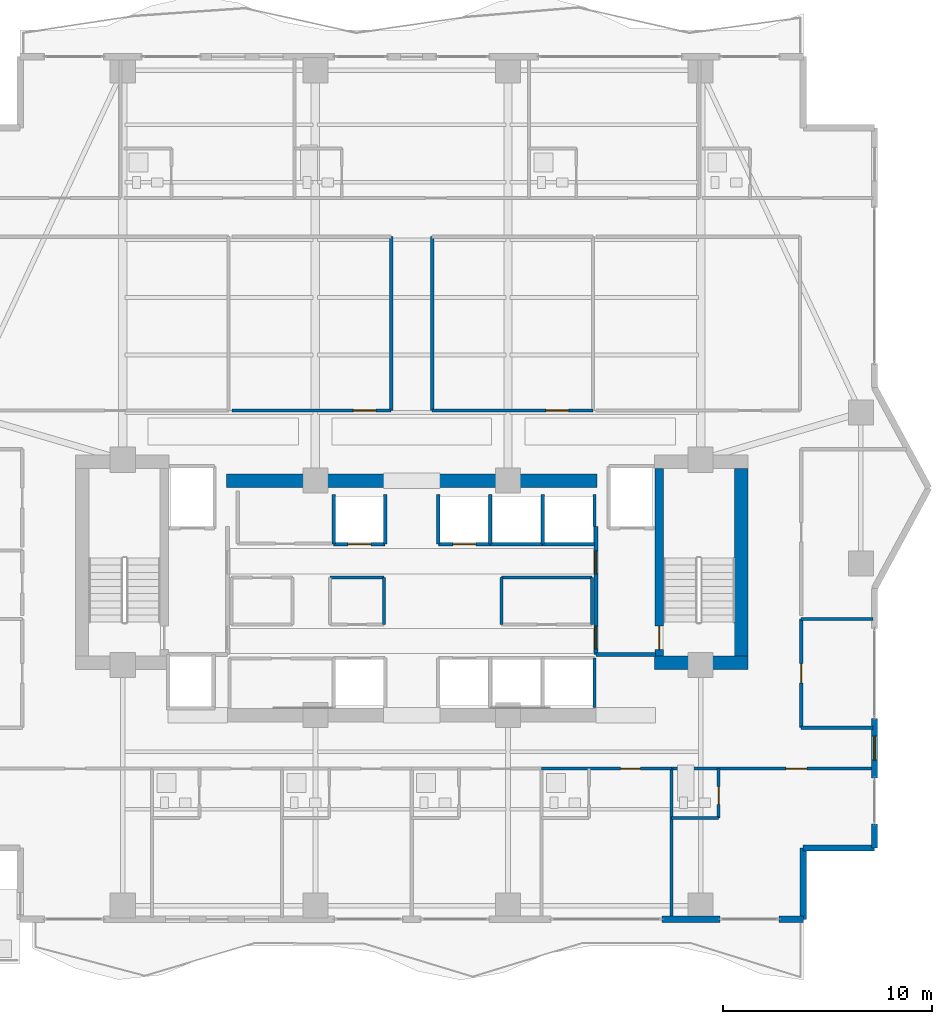
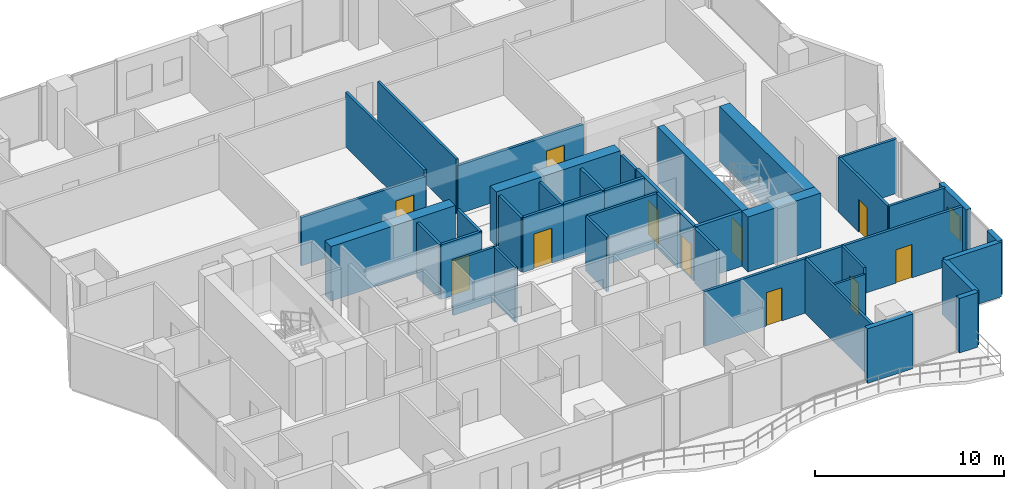
# One storey, part 26 of 32: 41 walls, 11 doors, 1 window, 12 openings.
"""IFC4 building model written with IfcOpenShell, lengths in metres."""

from ifc_helpers import new_model, si_unit, direction, frame, frame_2d, origin, place, context, subcontext, project, spatial, rectangle, extrude, material, layer, layer_set, type_object, element, fill, save


model = new_model("IFC4")

# Units and contexts
model_context = context("Model", 3, precision=1e-05, world=origin(), true_north=direction((0.0, 1.0)))
body_context = subcontext(model_context, "Body", "Model", "MODEL_VIEW")
ifc_project = project(units=[si_unit("LENGTHUNIT", "METRE"), si_unit("AREAUNIT", "SQUARE_METRE"), si_unit("VOLUMEUNIT", "CUBIC_METRE"), si_unit("PLANEANGLEUNIT", "RADIAN"), si_unit("MASSUNIT", "GRAM", prefix="KILO")], contexts=[model_context])

# Site, building, storey
site_placement = place(None, origin())
site = spatial("IfcSite", under=ifc_project, at=site_placement, CompositionType="ELEMENT")
building_placement = place(site_placement, origin())
building = spatial("IfcBuilding", under=site, at=building_placement, Name="Zuhayl Quay Hotel", CompositionType="ELEMENT")
storey_placement = place(building_placement, frame((0.0, 0.0, 196.14990234375)))
storey = spatial("IfcBuildingStorey", under=building, at=storey_placement, Name="L49", CompositionType="ELEMENT", Elevation=196.14990234375)

# Walls
ifc_material_1 = material(Name="Concrete C50/60", Category="concrete")
ifc_layer_1 = layer(ifc_material_1, 0.64990234375, Name="Concrete C50/60", Category="concrete")
ifc_layer_set_1 = layer_set([ifc_layer_1], Name="Concrete C50/60")
wall_type_1 = type_object("IfcWallType", Name="WL_CORE_650", PredefinedType="SHEAR", material=ifc_layer_set_1)
wall_1_placement = place(storey_placement, frame((15.735107421875, 4.969970703125, 0.0), z_axis=(0.0, 0.0, 1.0), x_axis=(0.0, 1.0, 0.0)))
element("IfcWall", 1, at=wall_1_placement, inside=storey, type_object=wall_type_1, Name="L49 Core Shear Wall CW_E", PredefinedType="SHEAR", context=body_context, shape_type="SweptSolid", body=[
    extrude(rectangle(XDim=8.9599609375, YDim=0.64990234375, at=frame_2d((4.47998046875, 0.0))), origin(), (0.0, 0.0, 1.0), 3.56005859375),
])
wall_2_placement = place(storey_placement, frame((11.60009765625, 4.64501953125, 0.0), z_axis=(0.0, 0.0, 1.0), x_axis=(1.0, 0.0, 0.0)))
element("IfcWall", 2, at=wall_2_placement, inside=storey, type_object=wall_type_1, Name="L49 Core Shear Wall CW_SE", PredefinedType="SHEAR", context=body_context, shape_type="SweptSolid", body=[
    extrude(rectangle(XDim=4.4599609375, YDim=0.64990234375, at=frame_2d((2.22998046875, 0.0))), origin(), (0.0, 0.0, 1.0), 3.56005859375),
])
for number, where, z_axis, x_axis, name in (
    (3, (-8.85009765625, 13.35009765625, 0.0), (0.0, 0.0, 1.0), (1.0, 0.0, 0.0), "L49 Core Shear Wall CW_NC_W"),
    (4, (1.25, 13.35009765625, 0.0), (0.0, 0.0, 1.0), (1.0, 0.0, 0.0), "L49 Core Shear Wall CW_NC_E"),
):
    element("IfcWall", number, at=place(storey_placement, frame(where, z_axis=z_axis, x_axis=x_axis)), inside=storey, type_object=wall_type_1, Name=name, PredefinedType="SHEAR", context=body_context, shape_type="SweptSolid", body=[
        extrude(rectangle(XDim=7.60009765625, YDim=0.64990234375, at=frame_2d((3.800048828125, 0.0))), origin(), (0.0, 0.0, 1.0), 3.530029296875),
    ])

# Wall, opening, window
ifc_material_2 = material(Name="Precast concrete C45/55", Category="concrete")
ifc_layer_2 = layer(ifc_material_2, 0.300048828125, Name="Precast concrete C45/55", Category="concrete")
ifc_layer_set_2 = layer_set([ifc_layer_2], Name="Precast concrete C45/55")
wall_type_2 = type_object("IfcWallType", Name="WL_EXT_300", PredefinedType="STANDARD", material=ifc_layer_set_2)
wall_3_placement = place(storey_placement, frame((22.10009765625, 2.0, 0.0), z_axis=(0.0, 0.0, 1.0), x_axis=(0.0, -1.0, 0.0)))
wall_3 = element("IfcWall", 5, at=wall_3_placement, inside=storey, type_object=wall_type_2, Name="L49 Exterior Precast Wall ENV_L49_E14_EW2", PredefinedType="STANDARD", context=body_context, shape_type="SweptSolid", body=[
    extrude(rectangle(XDim=2.85009765625, YDim=0.300048828125, at=frame_2d((1.425048828125, 0.0))), origin(), (0.0, 0.0, 1.0), 3.530029296875),
])
opening_1_placement = place(wall_3_placement, frame((0.85009765625, 0.0, 0.949951171875)))
opening_1 = element("IfcOpeningElement", 6, at=opening_1_placement, cuts=wall_3, Name="Opening W01N", PredefinedType="OPENING", context=body_context, shape_type="SweptSolid", body=[
    extrude(rectangle(XDim=1.14990234375, YDim=1.550048828125, at=frame_2d((0.574951171875, 0.77490234375))), frame((0.0, 0.159912109375, 0.0), z_axis=(0.0, -1.0, 0.0), x_axis=(1.0, 0.0, 0.0)), (0.0, 0.0, 1.0), 0.320068359375),
])
ifc_material_3 = material(Name="Dark Ceramic-Fritted Solar Glass", Category="glass")
window_type = type_object("IfcWindowType", Name="WN_NOTCH_1350", PartitioningType="SINGLE_PANEL", PredefinedType="WINDOW", material=ifc_material_3)
window_placement = place(opening_1_placement, origin())
window = element("IfcWindow", 7, at=window_placement, inside=storey, type_object=window_type, Name="L49 Operable Facade Window 2-1", OverallHeight=1.550048828125, OverallWidth=1.14990234375, PartitioningType="SINGLE_PANEL", PredefinedType="WINDOW", context=body_context, shape_type="SweptSolid", body=[
    extrude(rectangle(XDim=1.14990234375, YDim=1.550048828125, at=frame_2d((0.574951171875, 0.77490234375))), frame((0.0, 0.030029296875, 0.0), z_axis=(0.0, -1.0, 0.0), x_axis=(1.0, 0.0, 0.0)), (0.0, 0.0, 1.0), 0.06005859375),
])
fill(opening_1, window)

# Walls
wall_4_placement = place(storey_placement, frame((22.10009765625, -3.050048828125, 0.0), z_axis=(0.0, 0.0, 1.0), x_axis=(0.0, -1.0, 0.0)))
element("IfcWall", 8, at=wall_4_placement, inside=storey, type_object=wall_type_2, Name="L49 Exterior Precast Wall ENV_L49_E14_EW3", PredefinedType="STANDARD", context=body_context, shape_type="SweptSolid", body=[
    extrude(rectangle(XDim=1.14990234375, YDim=0.300048828125, at=frame_2d((0.574951171875, 0.0))), origin(), (0.0, 0.0, 1.0), 3.530029296875),
])
for number, where, z_axis, x_axis, name in (
    (9, (22.10009765625, -4.199951171875, 0.0), (0.0, 0.0, 1.0), (-1.0, 0.0, 0.0), "L49 Exterior Precast Wall ENV_L49_EW15"),
    (10, (18.699951171875, -4.199951171875, 0.0), (0.0, 0.0, 1.0), (0.0, -1.0, 0.0), "L49 Exterior Precast Wall ENV_L49_EW16"),
):
    element("IfcWall", number, at=place(storey_placement, frame(where, z_axis=z_axis, x_axis=x_axis)), inside=storey, type_object=wall_type_2, Name=name, PredefinedType="STANDARD", context=body_context, shape_type="SweptSolid", body=[
        extrude(rectangle(XDim=3.400146484375, YDim=0.300048828125, at=frame_2d((1.7001953125, 0.0))), origin(), (0.0, 0.0, 1.0), 3.530029296875),
    ])
wall_5_placement = place(storey_placement, frame((18.699951171875, -7.60009765625, 0.0), z_axis=(0.0, 0.0, 1.0), x_axis=(-1.0, 0.0, 0.0)))
element("IfcWall", 11, at=wall_5_placement, inside=storey, type_object=wall_type_2, Name="L49 Exterior Precast Wall ENV_L49_S_EW1", PredefinedType="STANDARD", context=body_context, shape_type="SweptSolid", body=[
    extrude(rectangle(XDim=1.14990234375, YDim=0.300048828125, at=frame_2d((0.574951171875, 0.0))), origin(), (0.0, 0.0, 1.0), 3.530029296875),
])
wall_6_placement = place(storey_placement, frame((14.719970703125, -7.60009765625, 0.0), z_axis=(0.0, 0.0, 1.0), x_axis=(-1.0, 0.0, 0.0)))
element("IfcWall", 12, at=wall_6_placement, inside=storey, type_object=wall_type_2, Name="L49 Exterior Precast Wall ENV_L49_S_EW2", PredefinedType="STANDARD", context=body_context, shape_type="SweptSolid", body=[
    extrude(rectangle(XDim=2.77001953125, YDim=0.300048828125, at=frame_2d((1.385009765625, 0.0))), origin(), (0.0, 0.0, 1.0), 3.530029296875),
])
ifc_material_4 = material(Name="Acoustic Gypsum Partition STC-58")
ifc_layer_3 = layer(ifc_material_4, 0.14990234375, Name="Acoustic Gypsum Partition STC-58")
ifc_layer_set_3 = layer_set([ifc_layer_3], Name="Acoustic Gypsum Partition STC-58")
wall_type_3 = type_object("IfcWallType", Name="WL_PART_150", PredefinedType="PARTITIONING", material=ifc_layer_set_3)
wall_7_placement = place(storey_placement, frame((-3.909912109375, 8.719970703125, 0.0), z_axis=(0.0, 0.0, 1.0), x_axis=(1.0, 0.0, 0.0)))
element("IfcWall", 13, at=wall_7_placement, inside=storey, type_object=wall_type_3, Name="L49 Partition IW_L49_CORE_BC_N", PredefinedType="PARTITIONING", context=body_context, shape_type="SweptSolid", body=[
    extrude(rectangle(XDim=2.58984375, YDim=0.14990234375, at=frame_2d((1.294921875, 0.0))), origin(), (0.0, 0.0, 1.0), 3.530029296875),
])
wall_8_placement = place(storey_placement, frame((-1.320068359375, 6.47998046875, 0.0), z_axis=(0.0, 0.0, 1.0), x_axis=(0.0, 1.0, 0.0)))
element("IfcWall", 14, at=wall_8_placement, inside=storey, type_object=wall_type_3, Name="L49 Partition IW_L49_CORE_BC_E", PredefinedType="PARTITIONING", context=body_context, shape_type="SweptSolid", body=[
    extrude(rectangle(XDim=2.239990234375, YDim=0.14990234375, at=frame_2d((1.1201171875, 0.0))), origin(), (0.0, 0.0, 1.0), 3.530029296875),
])
wall_9_placement = place(storey_placement, frame((4.2900390625, 8.719970703125, 0.0), z_axis=(0.0, 0.0, 1.0), x_axis=(1.0, 0.0, 0.0)))
element("IfcWall", 15, at=wall_9_placement, inside=storey, type_object=wall_type_3, Name="L49 Partition IW_L49_CORE_VL_N", PredefinedType="PARTITIONING", context=body_context, shape_type="SweptSolid", body=[
    extrude(rectangle(XDim=4.320068359375, YDim=0.14990234375, at=frame_2d((2.16015625, 0.0))), origin(), (0.0, 0.0, 1.0), 3.530029296875),
])
for number, where, z_axis, x_axis, name in (
    (16, (4.2900390625, 6.47998046875, 0.0), (0.0, 0.0, 1.0), (0.0, 1.0, 0.0), "L49 Partition IW_L49_CORE_VL_W"),
    (17, (8.610107421875, 6.47998046875, 0.0), (0.0, 0.0, 1.0), (0.0, 1.0, 0.0), "L49 Partition IW_L49_CORE_VL_E"),
):
    element("IfcWall", number, at=place(storey_placement, frame(where, z_axis=z_axis, x_axis=x_axis)), inside=storey, type_object=wall_type_3, Name=name, PredefinedType="PARTITIONING", context=body_context, shape_type="SweptSolid", body=[
        extrude(rectangle(XDim=2.239990234375, YDim=0.14990234375, at=frame_2d((1.1201171875, 0.0))), origin(), (0.0, 0.0, 1.0), 3.530029296875),
    ])
for number, where, z_axis, x_axis, name in (
    (18, (-0.97998046875, 16.699951171875, 0.0), (0.0, 0.0, 1.0), (0.0, 1.0, 0.0), "L49 Partition IW_L49_Z3_SAL_M2_E"),
    (19, (0.97998046875, 16.699951171875, 0.0), (0.0, 0.0, 1.0), (0.0, 1.0, 0.0), "L49 Partition IW_L49_Z3_SAL_E1_W"),
):
    element("IfcWall", number, at=place(storey_placement, frame(where, z_axis=z_axis, x_axis=x_axis)), inside=storey, type_object=wall_type_3, Name=name, PredefinedType="PARTITIONING", context=body_context, shape_type="SweptSolid", body=[
        extrude(rectangle(XDim=8.300048828125, YDim=0.14990234375, at=frame_2d((4.14990234375, 0.0))), origin(), (0.0, 0.0, 1.0), 3.530029296875),
    ])
wall_10_placement = place(storey_placement, frame((12.39990234375, -7.52001953125, 0.0), z_axis=(0.0, 0.0, 1.0), x_axis=(0.0, 1.0, 0.0)))
element("IfcWall", 20, at=wall_10_placement, inside=storey, type_object=wall_type_3, Name="L49 Partition IW_L49_SU05_E", PredefinedType="PARTITIONING", context=body_context, shape_type="SweptSolid", body=[
    extrude(rectangle(XDim=7.1201171875, YDim=0.14990234375, at=frame_2d((3.56005859375, 0.0))), origin(), (0.0, 0.0, 1.0), 3.530029296875),
])
for number, where, z_axis, x_axis, name in (
    (21, (18.60009765625, 1.550048828125, 0.0), (0.0, 0.0, 1.0), (1.0, 0.0, 0.0), "L49 Partition IW_L49_HK_MAIN_S"),
    (22, (18.60009765625, 6.75, 0.0), (0.0, 0.0, 1.0), (1.0, 0.0, 0.0), "L49 Partition IW_L49_HK_MAIN_N"),
):
    element("IfcWall", number, at=place(storey_placement, frame(where, z_axis=z_axis, x_axis=x_axis)), inside=storey, type_object=wall_type_3, Name=name, PredefinedType="PARTITIONING", context=body_context, shape_type="SweptSolid", body=[
        extrude(rectangle(XDim=3.43994140625, YDim=0.14990234375, at=frame_2d((1.719970703125, 0.0))), origin(), (0.0, 0.0, 1.0), 3.530029296875),
    ])

# Wall, opening, door
ifc_layer_4 = layer(ifc_material_4, 0.159912109375, Name="Acoustic Gypsum Partition STC-58")
ifc_layer_set_4 = layer_set([ifc_layer_4], Name="Acoustic Gypsum Partition STC-58")
wall_type_4 = type_object("IfcWallType", Name="WL_PART_CORR_160", PredefinedType="PARTITIONING", material=ifc_layer_set_4)
wall_11_placement = place(storey_placement, frame((-8.590087890625, 16.699951171875, 0.0), z_axis=(0.0, 0.0, 1.0), x_axis=(1.0, 0.0, 0.0)))
wall_11 = element("IfcWall", 23, at=wall_11_placement, inside=storey, type_object=wall_type_4, Name="L49 Partition IW_L49_Z3_SAL_M2_S", PredefinedType="PARTITIONING", context=body_context, shape_type="SweptSolid", body=[
    extrude(rectangle(XDim=7.610107421875, YDim=0.159912109375, at=frame_2d((3.80517578125, 0.0))), origin(), (0.0, 0.0, 1.0), 3.1240234375),
])
opening_2_placement = place(wall_11_placement, frame((5.800048828125, 0.0, 0.0)))
opening_2 = element("IfcOpeningElement", 24, at=opening_2_placement, cuts=wall_11, Name="Opening D05A", PredefinedType="OPENING", context=body_context, shape_type="SweptSolid", body=[
    extrude(rectangle(XDim=1.080078125, YDim=2.179931640625, at=frame_2d((0.5400390625, 1.08984375))), frame((0.0, 0.08984375, 0.0), z_axis=(0.0, -1.0, 0.0), x_axis=(1.0, 0.0, 0.0)), (0.0, 0.0, 1.0), 0.179931640625),
])
ifc_material_5 = material(Name="Solid Walnut Acoustic Fire Door")
door_type_1 = type_object("IfcDoorType", Name="DR_INT_1100", OperationType="NOTDEFINED", PredefinedType="DOOR", material=ifc_material_5)
door_1_placement = place(opening_2_placement, origin())
door_1 = element("IfcDoor", 25, at=door_1_placement, inside=storey, type_object=door_type_1, Name="L49 Vitality Relaxation Salon Door", OperationType="SINGLE_SWING_RIGHT", OverallHeight=2.179931640625, OverallWidth=1.080078125, PredefinedType="DOOR", context=body_context, shape_type="SweptSolid", body=[
    extrude(rectangle(XDim=1.080078125, YDim=2.179931640625, at=frame_2d((0.5400390625, 1.08984375))), frame((0.0, 0.02490234375, 0.0), z_axis=(0.0, -1.0, 0.0), x_axis=(1.0, 0.0, 0.0)), (0.0, 0.0, 1.0), 0.050048828125),
])
fill(opening_2, door_1)

wall_12_placement = place(storey_placement, frame((0.97998046875, 16.699951171875, 0.0), z_axis=(0.0, 0.0, 1.0), x_axis=(1.0, 0.0, 0.0)))
wall_12 = element("IfcWall", 26, at=wall_12_placement, inside=storey, type_object=wall_type_4, Name="L49 Partition IW_L49_Z3_SAL_E1_S", PredefinedType="PARTITIONING", context=body_context, shape_type="SweptSolid", body=[
    extrude(rectangle(XDim=7.669921875, YDim=0.159912109375, at=frame_2d((3.8349609375, 0.0))), origin(), (0.0, 0.0, 1.0), 3.1240234375),
])
opening_3_placement = place(wall_12_placement, frame((5.429931640625, 0.0, 0.0)))
opening_3 = element("IfcOpeningElement", 27, at=opening_3_placement, cuts=wall_12, Name="Opening D05A", PredefinedType="OPENING", context=body_context, shape_type="SweptSolid", body=[
    extrude(rectangle(XDim=1.080078125, YDim=2.179931640625, at=frame_2d((0.5400390625, 1.08984375))), frame((0.0, 0.08984375, 0.0), z_axis=(0.0, -1.0, 0.0), x_axis=(1.0, 0.0, 0.0)), (0.0, 0.0, 1.0), 0.179931640625),
])
door_2_placement = place(opening_3_placement, origin())
door_2 = element("IfcDoor", 28, at=door_2_placement, inside=storey, type_object=door_type_1, Name="L49 Relaxation Tea Lounge Door", OperationType="SINGLE_SWING_LEFT", OverallHeight=2.179931640625, OverallWidth=1.080078125, PredefinedType="DOOR", context=body_context, shape_type="SweptSolid", body=[
    extrude(rectangle(XDim=1.080078125, YDim=2.179931640625, at=frame_2d((0.5400390625, 1.08984375))), frame((0.0, 0.02490234375, 0.0), z_axis=(0.0, -1.0, 0.0), x_axis=(1.0, 0.0, 0.0)), (0.0, 0.0, 1.0), 0.050048828125),
])
fill(opening_3, door_2)

wall_13_placement = place(storey_placement, frame((6.199951171875, -0.39990234375, 0.0), z_axis=(0.0, 0.0, 1.0), x_axis=(1.0, 0.0, 0.0)))
wall_13 = element("IfcWall", 29, at=wall_13_placement, inside=storey, type_object=wall_type_4, Name="L49 Partition IW_L49_SU05_COR", PredefinedType="PARTITIONING", context=body_context, shape_type="SweptSolid", body=[
    extrude(rectangle(XDim=6.199951171875, YDim=0.159912109375, at=frame_2d((3.10009765625, 0.0))), origin(), (0.0, 0.0, 1.0), 3.530029296875),
])
opening_4_placement = place(wall_13_placement, frame((3.77490234375, 0.0, 0.0)))
opening_4 = element("IfcOpeningElement", 30, at=opening_4_placement, cuts=wall_13, Name="Opening D03", PredefinedType="OPENING", context=body_context, shape_type="SweptSolid", body=[
    extrude(rectangle(XDim=0.949951171875, YDim=2.14990234375, at=frame_2d((0.47509765625, 1.074951171875))), frame((0.0, 0.08984375, 0.0), z_axis=(0.0, -1.0, 0.0), x_axis=(1.0, 0.0, 0.0)), (0.0, 0.0, 1.0), 0.179931640625),
])
door_type_2 = type_object("IfcDoorType", Name="DR_SUITE_950", OperationType="NOTDEFINED", PredefinedType="DOOR", material=ifc_material_5)
door_3_placement = place(opening_4_placement, origin())
door_3 = element("IfcDoor", 31, at=door_3_placement, inside=storey, type_object=door_type_2, Name="L49 Premier Twin Guest Room L49-05 Entrance Door", OperationType="SINGLE_SWING_RIGHT", OverallHeight=2.14990234375, OverallWidth=0.949951171875, PredefinedType="DOOR", context=body_context, shape_type="SweptSolid", body=[
    extrude(rectangle(XDim=0.949951171875, YDim=2.14990234375, at=frame_2d((0.47509765625, 1.074951171875))), frame((0.0, 0.02490234375, 0.0), z_axis=(0.0, -1.0, 0.0), x_axis=(1.0, 0.0, 0.0)), (0.0, 0.0, 1.0), 0.050048828125),
])
fill(opening_4, door_3)

wall_14_placement = place(storey_placement, frame((12.39990234375, -0.39990234375, 0.0), z_axis=(0.0, 0.0, 1.0), x_axis=(1.0, 0.0, 0.0)))
wall_14 = element("IfcWall", 32, at=wall_14_placement, inside=storey, type_object=wall_type_4, Name="L49 Partition IW_L49_SU06_COR", PredefinedType="PARTITIONING", context=body_context, shape_type="SweptSolid", body=[
    extrude(rectangle(XDim=9.64013671875, YDim=0.159912109375, at=frame_2d((4.820068359375, 0.0))), origin(), (0.0, 0.0, 1.0), 3.530029296875),
])
opening_5_placement = place(wall_14_placement, frame((5.469970703125, 0.0, 0.0)))
opening_5 = element("IfcOpeningElement", 33, at=opening_5_placement, cuts=wall_14, Name="Opening D03L", PredefinedType="OPENING", context=body_context, shape_type="SweptSolid", body=[
    extrude(rectangle(XDim=1.0, YDim=2.14990234375, at=frame_2d((0.5, 1.074951171875))), frame((0.0, 0.08984375, 0.0), z_axis=(0.0, -1.0, 0.0), x_axis=(1.0, 0.0, 0.0)), (0.0, 0.0, 1.0), 0.179931640625),
])
door_type_3 = type_object("IfcDoorType", Name="DR_SUITE_1000", OperationType="NOTDEFINED", PredefinedType="DOOR", material=ifc_material_5)
door_4_placement = place(opening_5_placement, origin())
door_4 = element("IfcDoor", 34, at=door_4_placement, inside=storey, type_object=door_type_3, Name="L49 Premier Twin Guest Room L49-06 Entrance Door", OperationType="SINGLE_SWING_RIGHT", OverallHeight=2.14990234375, OverallWidth=1.0, PredefinedType="DOOR", context=body_context, shape_type="SweptSolid", body=[
    extrude(rectangle(XDim=1.0, YDim=2.14990234375, at=frame_2d((0.5, 1.074951171875))), frame((0.0, 0.02490234375, 0.0), z_axis=(0.0, -1.0, 0.0), x_axis=(1.0, 0.0, 0.0)), (0.0, 0.0, 1.0), 0.050048828125),
])
fill(opening_5, door_4)

wall_15_placement = place(storey_placement, frame((18.60009765625, 1.550048828125, 0.0), z_axis=(0.0, 0.0, 1.0), x_axis=(0.0, 1.0, 0.0)))
wall_15 = element("IfcWall", 35, at=wall_15_placement, inside=storey, type_object=wall_type_4, Name="L49 Partition IW_L49_HK_MAIN_W", PredefinedType="PARTITIONING", context=body_context, shape_type="SweptSolid", body=[
    extrude(rectangle(XDim=5.199951171875, YDim=0.159912109375, at=frame_2d((2.60009765625, 0.0))), origin(), (0.0, 0.0, 1.0), 3.530029296875),
])
opening_6_placement = place(wall_15_placement, frame((2.139892578125, 0.0, 0.0)))
opening_6 = element("IfcOpeningElement", 36, at=opening_6_placement, cuts=wall_15, Name="Opening D05", PredefinedType="OPENING", context=body_context, shape_type="SweptSolid", body=[
    extrude(rectangle(XDim=0.919921875, YDim=2.1201171875, at=frame_2d((0.4599609375, 1.06005859375))), frame((0.0, 0.08984375, 0.0), z_axis=(0.0, -1.0, 0.0), x_axis=(1.0, 0.0, 0.0)), (0.0, 0.0, 1.0), 0.179931640625),
])
door_type_4 = type_object("IfcDoorType", Name="DR_INT_950", OperationType="NOTDEFINED", PredefinedType="DOOR", material=ifc_material_5)
door_5_placement = place(opening_6_placement, origin())
door_5 = element("IfcDoor", 37, at=door_5_placement, inside=storey, type_object=door_type_4, Name="L49 Housekeeping and Linen Room Door", OperationType="SINGLE_SWING_LEFT", OverallHeight=2.1201171875, OverallWidth=0.919921875, PredefinedType="DOOR", context=body_context, shape_type="SweptSolid", body=[
    extrude(rectangle(XDim=0.919921875, YDim=2.1201171875, at=frame_2d((0.4599609375, 1.06005859375))), frame((0.0, 0.02490234375, 0.0), z_axis=(0.0, -1.0, 0.0), x_axis=(1.0, 0.0, 0.0)), (0.0, 0.0, 1.0), 0.050048828125),
])
fill(opening_6, door_5)

ifc_material_6 = material(Name="Moisture-Resistant Sanitarychase Gypsum")
ifc_layer_5 = layer(ifc_material_6, 0.135009765625, Name="Moisture-Resistant Sanitarychase Gypsum")
ifc_layer_set_5 = layer_set([ifc_layer_5], Name="Moisture-Resistant Sanitarychase Gypsum")
wall_type_5 = type_object("IfcWallType", Name="WL_PART_PLUMB_150", PredefinedType="PLUMBINGWALL", material=ifc_layer_set_5)
wall_16_placement = place(storey_placement, frame((14.659912109375, -2.760009765625, 0.0), z_axis=(0.0, 0.0, 1.0), x_axis=(0.0, 1.0, 0.0)))
wall_16 = element("IfcWall", 38, at=wall_16_placement, inside=storey, type_object=wall_type_5, Name="L49 Partition IW_L49_SU06_BE", PredefinedType="PLUMBINGWALL", context=body_context, shape_type="SweptSolid", body=[
    extrude(rectangle(XDim=2.360107421875, YDim=0.135009765625, at=frame_2d((1.18017578125, 0.0))), origin(), (0.0, 0.0, 1.0), 3.530029296875),
])
opening_7_placement = place(wall_16_placement, frame((0.64990234375, 0.0, 0.0)))
opening_7 = element("IfcOpeningElement", 39, at=opening_7_placement, cuts=wall_16, Name="Opening D04", PredefinedType="OPENING", context=body_context, shape_type="SweptSolid", body=[
    extrude(rectangle(XDim=0.85009765625, YDim=2.10009765625, at=frame_2d((0.425048828125, 1.050048828125))), frame((0.0, 0.077392578125, 0.0), z_axis=(0.0, -1.0, 0.0), x_axis=(1.0, 0.0, 0.0)), (0.0, 0.0, 1.0), 0.155029296875),
])
ifc_material_7 = material(Name="Moisture-Resistant Walnut Veneer")
door_type_5 = type_object("IfcDoorType", Name="DR_BATH_850", OperationType="NOTDEFINED", PredefinedType="DOOR", material=ifc_material_7)
door_6_placement = place(opening_7_placement, origin())
door_6 = element("IfcDoor", 40, at=door_6_placement, inside=storey, type_object=door_type_5, Name="L49 Premier Twin Guest Room L49-06 En-Suite Door", OperationType="SINGLE_SWING_LEFT", OverallHeight=2.10009765625, OverallWidth=0.85009765625, PredefinedType="DOOR", context=body_context, shape_type="SweptSolid", body=[
    extrude(rectangle(XDim=0.85009765625, YDim=2.10009765625, at=frame_2d((0.425048828125, 1.050048828125))), frame((0.0, 0.02490234375, 0.0), z_axis=(0.0, -1.0, 0.0), x_axis=(1.0, 0.0, 0.0)), (0.0, 0.0, 1.0), 0.050048828125),
])
fill(opening_7, door_6)

# Wall
wall_17_placement = place(storey_placement, frame((12.39990234375, -2.760009765625, 0.0), z_axis=(0.0, 0.0, 1.0), x_axis=(1.0, 0.0, 0.0)))
element("IfcWall", 41, at=wall_17_placement, inside=storey, type_object=wall_type_5, Name="L49 Partition IW_L49_SU06_BS", PredefinedType="PLUMBINGWALL", context=body_context, shape_type="SweptSolid", body=[
    extrude(rectangle(XDim=2.260009765625, YDim=0.135009765625, at=frame_2d((1.1298828125, 0.0))), origin(), (0.0, 0.0, 1.0), 3.1240234375),
])

# Wall, opening, door
ifc_material_8 = material(Name="Gypsum Fireboard Assembly EI-90")
ifc_layer_6 = layer(ifc_material_8, 0.1650390625, Name="Gypsum Fireboard Assembly EI-90")
ifc_layer_set_6 = layer_set([ifc_layer_6], Name="Gypsum Fireboard Assembly EI-90")
wall_type_6 = type_object("IfcWallType", Name="WL_PART_SHAFT_160", PredefinedType="PARTITIONING", material=ifc_layer_set_6)
wall_18_placement = place(storey_placement, frame((-3.72998046875, 10.320068359375, 0.0), z_axis=(0.0, 0.0, 1.0), x_axis=(1.0, 0.0, 0.0)))
wall_18 = element("IfcWall", 42, at=wall_18_placement, inside=storey, type_object=wall_type_6, Name="L49 Partition IW_L49_SH_MP3_F", PredefinedType="PARTITIONING", context=body_context, shape_type="SweptSolid", body=[
    extrude(rectangle(XDim=2.4599609375, YDim=0.1650390625, at=frame_2d((1.22998046875, 0.0))), origin(), (0.0, 0.0, 1.0), 3.530029296875),
])
opening_8_placement = place(wall_18_placement, frame((0.679931640625, 0.0, 0.0)))
opening_8 = element("IfcOpeningElement", 43, at=opening_8_placement, cuts=wall_18, Name="Opening LD1", PredefinedType="OPENING", context=body_context, shape_type="SweptSolid", body=[
    extrude(rectangle(XDim=1.10009765625, YDim=2.25, at=frame_2d((0.550048828125, 1.125))), frame((0.0, 0.092529296875, 0.0), z_axis=(0.0, -1.0, 0.0), x_axis=(1.0, 0.0, 0.0)), (0.0, 0.0, 1.0), 0.18505859375),
])
ifc_material_9 = material(Name="Brushed Stainless Steel", Category="steel")
door_type_6 = type_object("IfcDoorType", Name="DR_LIFT_PASS_1100", OperationType="SLIDING_TO_LEFT", PredefinedType="DOOR", material=ifc_material_9)
door_7_placement = place(opening_8_placement, origin())
door_7 = element("IfcDoor", 44, at=door_7_placement, inside=storey, type_object=door_type_6, Name="L49 Lift MP3 Sliding Landing Door", OperationType="SLIDING_TO_LEFT", OverallHeight=2.25, OverallWidth=1.10009765625, PredefinedType="DOOR", context=body_context, shape_type="SweptSolid", body=[
    extrude(rectangle(XDim=1.10009765625, YDim=2.25, at=frame_2d((0.550048828125, 1.125))), frame((0.0, 0.02490234375, 0.0), z_axis=(0.0, -1.0, 0.0), x_axis=(1.0, 0.0, 0.0)), (0.0, 0.0, 1.0), 0.050048828125),
])
fill(opening_8, door_7)

wall_19_placement = place(storey_placement, frame((1.27001953125, 10.320068359375, 0.0), z_axis=(0.0, 0.0, 1.0), x_axis=(1.0, 0.0, 0.0)))
wall_19 = element("IfcWall", 45, at=wall_19_placement, inside=storey, type_object=wall_type_6, Name="L49 Partition IW_L49_SH_MP4_F", PredefinedType="PARTITIONING", context=body_context, shape_type="SweptSolid", body=[
    extrude(rectangle(XDim=2.47998046875, YDim=0.1650390625, at=frame_2d((1.239990234375, 0.0))), origin(), (0.0, 0.0, 1.0), 3.530029296875),
])
opening_9_placement = place(wall_19_placement, frame((0.68994140625, 0.0, 0.0)))
opening_9 = element("IfcOpeningElement", 46, at=opening_9_placement, cuts=wall_19, Name="Opening LD1", PredefinedType="OPENING", context=body_context, shape_type="SweptSolid", body=[
    extrude(rectangle(XDim=1.10009765625, YDim=2.25, at=frame_2d((0.550048828125, 1.125))), frame((0.0, 0.092529296875, 0.0), z_axis=(0.0, -1.0, 0.0), x_axis=(1.0, 0.0, 0.0)), (0.0, 0.0, 1.0), 0.18505859375),
])
door_8_placement = place(opening_9_placement, origin())
door_8 = element("IfcDoor", 47, at=door_8_placement, inside=storey, type_object=door_type_6, Name="L49 Lift MP4 Sliding Landing Door", OperationType="SLIDING_TO_LEFT", OverallHeight=2.25, OverallWidth=1.10009765625, PredefinedType="DOOR", context=body_context, shape_type="SweptSolid", body=[
    extrude(rectangle(XDim=1.10009765625, YDim=2.25, at=frame_2d((0.550048828125, 1.125))), frame((0.0, 0.02490234375, 0.0), z_axis=(0.0, -1.0, 0.0), x_axis=(1.0, 0.0, 0.0)), (0.0, 0.0, 1.0), 0.050048828125),
])
fill(opening_9, door_8)

# Walls
for number, where, z_axis, x_axis, name in (
    (48, (-3.72998046875, 10.320068359375, 0.0), (0.0, 0.0, 1.0), (0.0, 1.0, 0.0), "L49 Partition IW_L49_SH_MP3_W"),
    (49, (-1.27001953125, 10.320068359375, 0.0), (0.0, 0.0, 1.0), (0.0, 1.0, 0.0), "L49 Partition IW_L49_SH_MP3_E"),
    (50, (1.27001953125, 10.320068359375, 0.0), (0.0, 0.0, 1.0), (0.0, 1.0, 0.0), "L49 Partition IW_L49_SH_MP4_W"),
    (51, (3.75, 10.320068359375, 0.0), (0.0, 0.0, 1.0), (0.0, 1.0, 0.0), "L49 Partition IW_L49_SH_MP4_E"),
    (52, (8.72998046875, 2.52001953125, 0.0), (0.0, 0.0, 1.0), (0.0, 1.0, 0.0), "L49 Partition IW_L49_SH_HP2_E"),
):
    element("IfcWall", number, at=place(storey_placement, frame(where, z_axis=z_axis, x_axis=x_axis)), inside=storey, type_object=wall_type_6, Name=name, PredefinedType="PARTITIONING", context=body_context, shape_type="SweptSolid", body=[
        extrude(rectangle(XDim=2.35986328125, YDim=0.1650390625, at=frame_2d((1.179931640625, 0.0))), origin(), (0.0, 0.0, 1.0), 3.530029296875),
    ])
wall_20_placement = place(storey_placement, frame((3.75, 10.320068359375, 0.0), z_axis=(0.0, 0.0, 1.0), x_axis=(1.0, 0.0, 0.0)))
element("IfcWall", 53, at=wall_20_placement, inside=storey, type_object=wall_type_6, Name="L49 Partition IW_L49_SH_HP3_F", PredefinedType="PARTITIONING", context=body_context, shape_type="SweptSolid", body=[
    extrude(rectangle(XDim=2.5, YDim=0.1650390625, at=frame_2d((1.25, 0.0))), origin(), (0.0, 0.0, 1.0), 3.530029296875),
])
wall_21_placement = place(storey_placement, frame((6.25, 10.320068359375, 0.0), z_axis=(0.0, 0.0, 1.0), x_axis=(0.0, 1.0, 0.0)))
element("IfcWall", 54, at=wall_21_placement, inside=storey, type_object=wall_type_6, Name="L49 Partition IW_L49_SH_HP3_E", PredefinedType="PARTITIONING", context=body_context, shape_type="SweptSolid", body=[
    extrude(rectangle(XDim=2.35986328125, YDim=0.1650390625, at=frame_2d((1.179931640625, 0.0))), origin(), (0.0, 0.0, 1.0), 3.530029296875),
])
wall_22_placement = place(storey_placement, frame((6.25, 10.320068359375, 0.0), z_axis=(0.0, 0.0, 1.0), x_axis=(1.0, 0.0, 0.0)))
element("IfcWall", 55, at=wall_22_placement, inside=storey, type_object=wall_type_6, Name="L49 Partition IW_L49_SH_HP4_F", PredefinedType="PARTITIONING", context=body_context, shape_type="SweptSolid", body=[
    extrude(rectangle(XDim=2.47998046875, YDim=0.1650390625, at=frame_2d((1.239990234375, 0.0))), origin(), (0.0, 0.0, 1.0), 3.530029296875),
])
wall_23_placement = place(storey_placement, frame((8.72998046875, 11.14990234375, 0.0), z_axis=(0.0, 0.0, 1.0), x_axis=(0.0, 1.0, 0.0)))
element("IfcWall", 56, at=wall_23_placement, inside=storey, type_object=wall_type_6, Name="L49 Partition IW_L49_SH_HP4_E", PredefinedType="PARTITIONING", context=body_context, shape_type="SweptSolid", body=[
    extrude(rectangle(XDim=1.530029296875, YDim=0.1650390625, at=frame_2d((0.76513671875, 0.0))), origin(), (0.0, 0.0, 1.0), 3.530029296875),
])

# Wall, openings, doors
ifc_material_10 = material(Name="Gypsum Fireboard Assembly EI-120")
ifc_layer_7 = layer(ifc_material_10, 0.199951171875, Name="Gypsum Fireboard Assembly EI-120")
ifc_layer_set_7 = layer_set([ifc_layer_7], Name="Gypsum Fireboard Assembly EI-120")
wall_type_7 = type_object("IfcWallType", Name="WL_PART_SHAFT_200", PredefinedType="PARTITIONING", material=ifc_layer_set_7)
wall_24_placement = place(storey_placement, frame((8.800048828125, 11.14990234375, 0.0), z_axis=(0.0, 0.0, 1.0), x_axis=(0.0, -1.0, 0.0)))
wall_24 = element("IfcWall", 57, at=wall_24_placement, inside=storey, type_object=wall_type_7, Name="L49 Partition IW_L49_FSAE_E_W", PredefinedType="PARTITIONING", context=body_context, shape_type="SweptSolid", body=[
    extrude(rectangle(XDim=6.099853515625, YDim=0.199951171875, at=frame_2d((3.0498046875, 0.0))), origin(), (0.0, 0.0, 1.0), 3.530029296875),
])
opening_10_placement = place(wall_24_placement, frame((1.14990234375, 0.0, 0.0)))
opening_10 = element("IfcOpeningElement", 58, at=opening_10_placement, cuts=wall_24, Name="Opening D02", PredefinedType="OPENING", context=body_context, shape_type="SweptSolid", body=[
    extrude(rectangle(XDim=1.10009765625, YDim=2.199951171875, at=frame_2d((0.550048828125, 1.10009765625))), frame((0.0, 0.10986328125, 0.0), z_axis=(0.0, -1.0, 0.0), x_axis=(1.0, 0.0, 0.0)), (0.0, 0.0, 1.0), 0.219970703125),
])
opening_11_placement = place(wall_24_placement, frame((4.75, 0.0, 0.0)))
opening_11 = element("IfcOpeningElement", 59, at=opening_11_placement, cuts=wall_24, Name="Opening D02", PredefinedType="OPENING", context=body_context, shape_type="SweptSolid", body=[
    extrude(rectangle(XDim=1.10009765625, YDim=2.199951171875, at=frame_2d((0.550048828125, 1.10009765625))), frame((0.0, 0.10986328125, 0.0), z_axis=(0.0, -1.0, 0.0), x_axis=(1.0, 0.0, 0.0)), (0.0, 0.0, 1.0), 0.219970703125),
])
ifc_material_11 = material(Name="Steel ASTM A992 Grade 50", Category="steel")
door_type_7 = type_object("IfcDoorType", Name="DR_FIRE_90_1100", OperationType="NOTDEFINED", PredefinedType="DOOR", material=ifc_material_11)
door_9_placement = place(opening_10_placement, origin())
door_9 = element("IfcDoor", 60, at=door_9_placement, inside=storey, type_object=door_type_7, Name="L49 FSAE Lobby East North Entry Door", OperationType="SINGLE_SWING_LEFT", OverallHeight=2.199951171875, OverallWidth=1.10009765625, PredefinedType="DOOR", context=body_context, shape_type="SweptSolid", body=[
    extrude(rectangle(XDim=1.10009765625, YDim=2.199951171875, at=frame_2d((0.550048828125, 1.10009765625))), frame((0.0, 0.02490234375, 0.0), z_axis=(0.0, -1.0, 0.0), x_axis=(1.0, 0.0, 0.0)), (0.0, 0.0, 1.0), 0.050048828125),
])
fill(opening_10, door_9)
door_10_placement = place(opening_11_placement, origin())
door_10 = element("IfcDoor", 61, at=door_10_placement, inside=storey, type_object=door_type_7, Name="L49 FSAE Lobby East South Entry Door", OperationType="SINGLE_SWING_RIGHT", OverallHeight=2.199951171875, OverallWidth=1.10009765625, PredefinedType="DOOR", context=body_context, shape_type="SweptSolid", body=[
    extrude(rectangle(XDim=1.10009765625, YDim=2.199951171875, at=frame_2d((0.550048828125, 1.10009765625))), frame((0.0, 0.02490234375, 0.0), z_axis=(0.0, -1.0, 0.0), x_axis=(1.0, 0.0, 0.0)), (0.0, 0.0, 1.0), 0.050048828125),
])
fill(opening_11, door_10)

# Wall
wall_25_placement = place(storey_placement, frame((8.800048828125, 5.050048828125, 0.0), z_axis=(0.0, 0.0, 1.0), x_axis=(1.0, 0.0, 0.0)))
element("IfcWall", 62, at=wall_25_placement, inside=storey, type_object=wall_type_7, Name="L49 Partition IW_L49_FSAE_E_S", PredefinedType="PARTITIONING", context=body_context, shape_type="SweptSolid", body=[
    extrude(rectangle(XDim=2.849853515625, YDim=0.199951171875, at=frame_2d((1.4248046875, 0.0))), origin(), (0.0, 0.0, 1.0), 3.530029296875),
])

# Wall, opening, door
ifc_material_12 = material(Name="Concrete C60/75", Category="concrete")
ifc_layer_8 = layer(ifc_material_12, 0.39990234375, Name="Concrete C60/75", Category="concrete")
ifc_layer_set_8 = layer_set([ifc_layer_8], Name="Concrete C60/75")
wall_type_8 = type_object("IfcWallType", Name="WL_STAIR_400", PredefinedType="SHEAR", material=ifc_layer_set_8)
wall_26_placement = place(storey_placement, frame((11.820068359375, 13.929931640625, 0.0), z_axis=(0.0, 0.0, 1.0), x_axis=(0.0, -1.0, 0.0)))
wall_26 = element("IfcWall", 63, at=wall_26_placement, inside=storey, type_object=wall_type_8, Name="L49 Core Shear Wall SW_ST2", PredefinedType="SHEAR", context=body_context, shape_type="SweptSolid", body=[
    extrude(rectangle(XDim=8.9599609375, YDim=0.39990234375, at=frame_2d((4.47998046875, 0.0))), origin(), (0.0, 0.0, 1.0), 3.56005859375),
])
opening_12_placement = place(wall_26_placement, frame((7.530029296875, 0.0, 0.0)))
opening_12 = element("IfcOpeningElement", 64, at=opening_12_placement, cuts=wall_26, Name="Opening D01", PredefinedType="OPENING", context=body_context, shape_type="SweptSolid", body=[
    extrude(rectangle(XDim=1.1201171875, YDim=2.219970703125, at=frame_2d((0.56005859375, 1.10986328125))), frame((0.0, 0.2099609375, 0.0), z_axis=(0.0, -1.0, 0.0), x_axis=(1.0, 0.0, 0.0)), (0.0, 0.0, 1.0), 0.419921875),
])
door_type_8 = type_object("IfcDoorType", Name="DR_STAIR_90_1100", OperationType="NOTDEFINED", PredefinedType="DOOR", material=ifc_material_11)
door_11_placement = place(opening_12_placement, origin())
door_11 = element("IfcDoor", 65, at=door_11_placement, inside=storey, type_object=door_type_8, Name="L49 Smokeproof Exit Stair ST2 Door", OperationType="SINGLE_SWING_RIGHT", OverallHeight=2.219970703125, OverallWidth=1.1201171875, PredefinedType="DOOR", context=body_context, shape_type="SweptSolid", body=[
    extrude(rectangle(XDim=1.1201171875, YDim=2.219970703125, at=frame_2d((0.56005859375, 1.10986328125))), frame((0.0, 0.02490234375, 0.0), z_axis=(0.0, -1.0, 0.0), x_axis=(1.0, 0.0, 0.0)), (0.0, 0.0, 1.0), 0.050048828125),
])
fill(opening_12, door_11)

save(model, "model.ifc")
